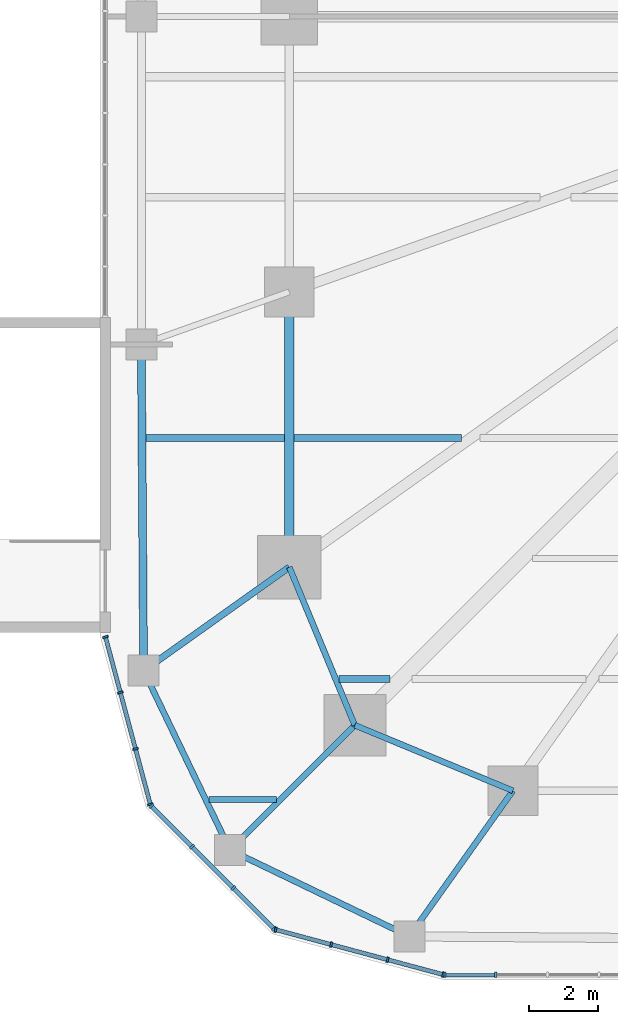
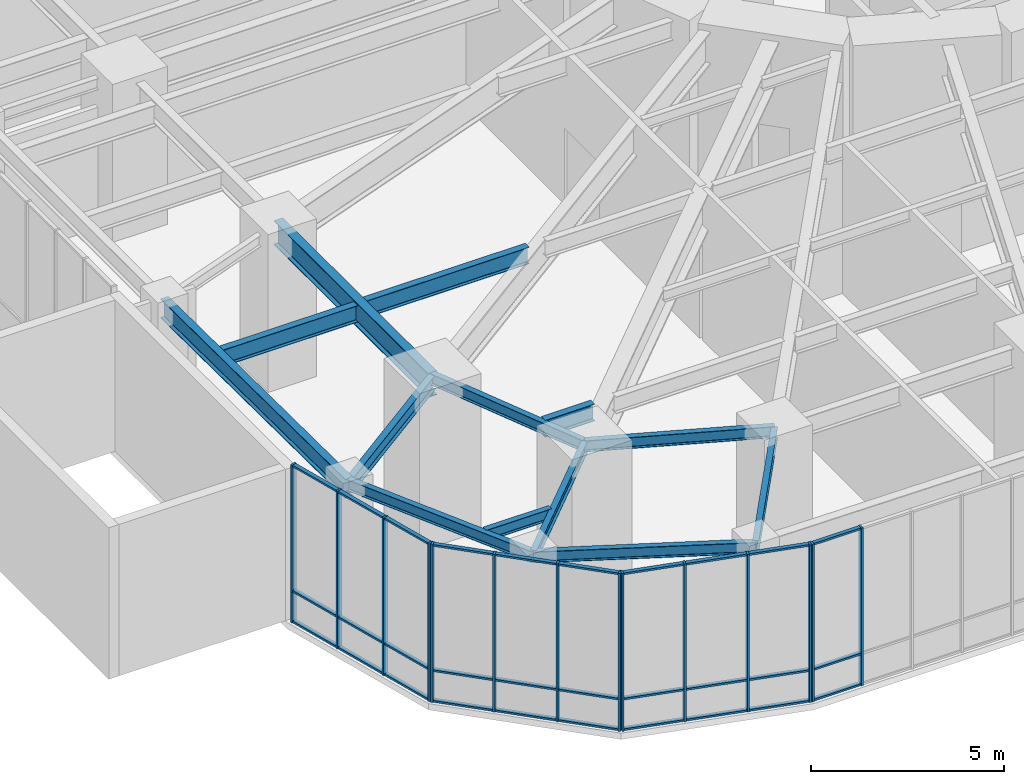
# One storey, part 2 of 24: 44 members, 13 beams, 4 elements without a shape of their own.
"""IFC4 building model written with IfcOpenShell, lengths in metres."""

from ifc_helpers import new_model, si_unit, direction, frame, origin, origin_2d, place, context, subcontext, project, spatial, rectangle, i_section, extrude, material, material_profile, profile_set, type_object, element, aggregate, save


model = new_model("IFC4")

# Units and contexts
model_context = context("Model", 3, precision=1e-05, world=origin(), true_north=direction((0.0, 1.0)))
body_context = subcontext(model_context, "Body", "Model", "MODEL_VIEW")
ifc_project = project(units=[si_unit("LENGTHUNIT", "METRE"), si_unit("AREAUNIT", "SQUARE_METRE"), si_unit("VOLUMEUNIT", "CUBIC_METRE"), si_unit("PLANEANGLEUNIT", "RADIAN"), si_unit("MASSUNIT", "GRAM", prefix="KILO")], contexts=[model_context])

# Site, building, storey
site_placement = place(None, origin())
site = spatial("IfcSite", under=ifc_project, at=site_placement, CompositionType="ELEMENT")
building_placement = place(site_placement, origin())
building = spatial("IfcBuilding", under=site, at=building_placement, Name="Nakasero Lantern House", CompositionType="ELEMENT")
storey_placement = place(building_placement, frame((0.0, 0.0, 11.0)))
storey = spatial("IfcBuildingStorey", under=building, at=storey_placement, Name="L02", CompositionType="ELEMENT", Elevation=11.0)

# Beams
ifc_material_1 = material(Name="Steel S355", Category="steel")
ifc_material_profile_1 = material_profile(ifc_material_1, i_section(OverallWidth=0.17138671875, OverallDepth=0.35498046875, WebThickness=0.00732421875, FlangeThickness=0.011474609375, FilletRadius=0.01025390625, at=origin_2d()), Name="UB 356x171x51")
ifc_profile_set_1 = profile_set([ifc_material_profile_1], Name="Steel S355")
beam_type_1 = type_object("IfcBeamType", Name="Infill beam UB 356x171x51", PredefinedType="JOIST", material=ifc_profile_set_1)
beam_1_placement = place(storey_placement, frame((-24.8369140625, -22.75, 4.572509765625), z_axis=(1.0, 0.0, 0.0), x_axis=(0.0, 1.0, 0.0)))
element("IfcBeam", 1, at=beam_1_placement, inside=storey, type_object=beam_type_1, Name="Infill beam L03 02.1", PredefinedType="JOIST", context=body_context, shape_type="SweptSolid", body=[
    extrude(i_section(OverallWidth=0.17138671875, OverallDepth=0.35498046875, WebThickness=0.00732421875, FlangeThickness=0.011474609375, FilletRadius=0.01025390625, at=origin_2d()), origin(), (0.0, 0.0, 1.0), 1.965576171875),
])
ifc_material_2 = material(Name="Steel S355", Category="steel")
ifc_material_profile_2 = material_profile(ifc_material_2, i_section(OverallWidth=0.2099609375, OverallDepth=0.53662109375, WebThickness=0.0107421875, FlangeThickness=0.017333984375, FilletRadius=0.0126953125, at=origin_2d()), Name="UB 533x210x101")
ifc_profile_set_2 = profile_set([ifc_material_profile_2], Name="Steel S355")
beam_type_2 = type_object("IfcBeamType", Name="Infill beam UB 533x210x101", PredefinedType="JOIST", material=ifc_profile_set_2)
beam_2_placement = place(storey_placement, frame((-21.06103515625, -19.25, 4.53173828125), z_axis=(1.0, 0.0, 0.0), x_axis=(0.0, 1.0, 0.0)))
element("IfcBeam", 2, at=beam_2_placement, inside=storey, type_object=beam_type_2, Name="Infill beam L03 03.1", PredefinedType="JOIST", context=body_context, shape_type="SweptSolid", body=[
    extrude(i_section(OverallWidth=0.2099609375, OverallDepth=0.53662109375, WebThickness=0.0107421875, FlangeThickness=0.017333984375, FilletRadius=0.0126953125, at=origin_2d()), origin(), (0.0, 0.0, 1.0), 1.492919921875),
])
ifc_material_3 = material(Name="Steel S355", Category="steel")
ifc_material_profile_3 = material_profile(ifc_material_3, i_section(OverallWidth=0.208740234375, OverallDepth=0.5283203125, WebThickness=0.009521484375, FlangeThickness=0.01318359375, FilletRadius=0.0126953125, at=origin_2d()), Name="UB 533x210x82")
ifc_profile_set_3 = profile_set([ifc_material_profile_3], Name="Steel S355")
beam_type_3 = type_object("IfcBeamType", Name="Infill beam UB 533x210x82", PredefinedType="JOIST", material=ifc_profile_set_3)
beam_3_placement = place(storey_placement, frame((-26.66650390625, -12.25, 4.48583984375), z_axis=(1.0, 0.0, 0.0), x_axis=(0.0, 1.0, 0.0)))
element("IfcBeam", 3, at=beam_3_placement, inside=storey, type_object=beam_type_3, Name="Infill beam L03 05.1", PredefinedType="JOIST", context=body_context, shape_type="SweptSolid", body=[
    extrude(i_section(OverallWidth=0.208740234375, OverallDepth=0.5283203125, WebThickness=0.009521484375, FlangeThickness=0.01318359375, FilletRadius=0.0126953125, at=origin_2d()), origin(), (0.0, 0.0, 1.0), 4.033203125),
])
beam_4_placement = place(storey_placement, frame((-22.36669921875, -12.25, 4.535888671875), z_axis=(1.0, 0.0, 0.0), x_axis=(0.0, 1.0, 0.0)))
element("IfcBeam", 4, at=beam_4_placement, inside=storey, type_object=beam_type_3, Name="Infill beam L03 05.2", PredefinedType="JOIST", context=body_context, shape_type="SweptSolid", body=[
    extrude(i_section(OverallWidth=0.208740234375, OverallDepth=0.5283203125, WebThickness=0.009521484375, FlangeThickness=0.01318359375, FilletRadius=0.0126953125, at=origin_2d()), origin(), (0.0, 0.0, 1.0), 4.8740234375),
])

# Curtain wall, members
ifc_material_4 = material(Name="Aluminium 6063-T6 and glass", Category="aluminium")
curtain_wall_type = type_object("IfcCurtainWallType", Name="Podium curtain wall CW-2", PredefinedType="USERDEFINED", material=ifc_material_4)
curtain_wall_1_placement = place(storey_placement, origin())
curtain_wall_1 = element("IfcCurtainWall", 5, at=curtain_wall_1_placement, inside=storey, type_object=curtain_wall_type, Name="Curtain wall CW-2 L02", ObjectType="STICK CURTAIN WALL", PredefinedType="USERDEFINED")
ifc_material_5 = material(Name="Aluminium 6063-T6", Category="aluminium")
ifc_material_profile_4 = material_profile(ifc_material_5, rectangle(XDim=0.06005859375, YDim=0.159912109375, at=origin_2d()), Name="CW-2 mullion 60x160")
ifc_profile_set_4 = profile_set([ifc_material_profile_4], Name="Aluminium 6063-T6")
member_type_1 = type_object("IfcMemberType", Name="Mullion CW-2", PredefinedType="MULLION", material=ifc_profile_set_4)
member_1_placement = place(storey_placement, frame((-27.84228515625, -18.029052734375, 0.0), z_axis=(0.0, 0.0, 1.0), x_axis=(0.258819045103, -0.965925826289, 0.0)))
member_1 = element("IfcMember", 6, at=member_1_placement, type_object=member_type_1, Name="CW-2 mullion 1", PredefinedType="MULLION", context=body_context, shape_type="SweptSolid", body=[
    extrude(rectangle(XDim=0.06005859375, YDim=0.159912109375, at=origin_2d()), origin(), (0.0, 0.0, 1.0), 5.0),
])
member_2_placement = place(storey_placement, frame((-27.41015625, -19.6416015625, 0.0), z_axis=(0.0, 0.0, 1.0), x_axis=(0.258819045103, -0.965925826289, 0.0)))
member_2 = element("IfcMember", 7, at=member_2_placement, type_object=member_type_1, Name="CW-2 mullion 2", PredefinedType="MULLION", context=body_context, shape_type="SweptSolid", body=[
    extrude(rectangle(XDim=0.06005859375, YDim=0.159912109375, at=origin_2d()), origin(), (0.0, 0.0, 1.0), 5.0),
])
member_3_placement = place(storey_placement, frame((-26.97021484375, -21.283447265625, 0.0), z_axis=(0.0, 0.0, 1.0), x_axis=(0.258819045103, -0.965925826289, 0.0)))
member_3 = element("IfcMember", 8, at=member_3_placement, type_object=member_type_1, Name="CW-2 mullion 3", PredefinedType="MULLION", context=body_context, shape_type="SweptSolid", body=[
    extrude(rectangle(XDim=0.06005859375, YDim=0.159912109375, at=origin_2d()), origin(), (0.0, 0.0, 1.0), 5.0),
])
member_4_placement = place(storey_placement, frame((-26.5380859375, -22.89599609375, 0.0), z_axis=(0.0, 0.0, 1.0), x_axis=(0.258819045103, -0.965925826289, 0.0)))
member_4 = element("IfcMember", 9, at=member_4_placement, type_object=member_type_1, Name="CW-2 mullion 4", PredefinedType="MULLION", context=body_context, shape_type="SweptSolid", body=[
    extrude(rectangle(XDim=0.06005859375, YDim=0.159912109375, at=origin_2d()), origin(), (0.0, 0.0, 1.0), 5.0),
])

curtain_wall_2_placement = place(storey_placement, origin())
curtain_wall_2 = element("IfcCurtainWall", 10, at=curtain_wall_2_placement, inside=storey, type_object=curtain_wall_type, Name="Curtain wall CW-2 L02", ObjectType="STICK CURTAIN WALL", PredefinedType="USERDEFINED")
member_5_placement = place(storey_placement, frame((-26.509033203125, -22.9462890625, 0.0), z_axis=(0.0, 0.0, 1.0), x_axis=(0.707106781187, -0.707106781187, 0.0)))
member_5 = element("IfcMember", 11, at=member_5_placement, type_object=member_type_1, Name="CW-2 mullion 1", PredefinedType="MULLION", context=body_context, shape_type="SweptSolid", body=[
    extrude(rectangle(XDim=0.06005859375, YDim=0.159912109375, at=origin_2d()), origin(), (0.0, 0.0, 1.0), 5.0),
])
member_6_placement = place(storey_placement, frame((-25.32861328125, -24.126708984375, 0.0), z_axis=(0.0, 0.0, 1.0), x_axis=(0.707106781187, -0.707106781187, 0.0)))
member_6 = element("IfcMember", 12, at=member_6_placement, type_object=member_type_1, Name="CW-2 mullion 2", PredefinedType="MULLION", context=body_context, shape_type="SweptSolid", body=[
    extrude(rectangle(XDim=0.06005859375, YDim=0.159912109375, at=origin_2d()), origin(), (0.0, 0.0, 1.0), 5.0),
])
member_7_placement = place(storey_placement, frame((-24.126708984375, -25.32861328125, 0.0), z_axis=(0.0, 0.0, 1.0), x_axis=(0.707106781187, -0.707106781187, 0.0)))
member_7 = element("IfcMember", 13, at=member_7_placement, type_object=member_type_1, Name="CW-2 mullion 3", PredefinedType="MULLION", context=body_context, shape_type="SweptSolid", body=[
    extrude(rectangle(XDim=0.06005859375, YDim=0.159912109375, at=origin_2d()), origin(), (0.0, 0.0, 1.0), 5.0),
])
member_8_placement = place(storey_placement, frame((-22.9462890625, -26.509033203125, 0.0), z_axis=(0.0, 0.0, 1.0), x_axis=(0.707106781187, -0.707106781187, 0.0)))
member_8 = element("IfcMember", 14, at=member_8_placement, type_object=member_type_1, Name="CW-2 mullion 4", PredefinedType="MULLION", context=body_context, shape_type="SweptSolid", body=[
    extrude(rectangle(XDim=0.06005859375, YDim=0.159912109375, at=origin_2d()), origin(), (0.0, 0.0, 1.0), 5.0),
])

curtain_wall_3_placement = place(storey_placement, origin())
curtain_wall_3 = element("IfcCurtainWall", 15, at=curtain_wall_3_placement, inside=storey, type_object=curtain_wall_type, Name="Curtain wall CW-2 L02", ObjectType="STICK CURTAIN WALL", PredefinedType="USERDEFINED")
member_9_placement = place(storey_placement, frame((-22.89599609375, -26.5380859375, 0.0), z_axis=(0.0, 0.0, 1.0), x_axis=(0.965925826289, -0.258819045103, 0.0)))
member_9 = element("IfcMember", 16, at=member_9_placement, type_object=member_type_1, Name="CW-2 mullion 1", PredefinedType="MULLION", context=body_context, shape_type="SweptSolid", body=[
    extrude(rectangle(XDim=0.06005859375, YDim=0.159912109375, at=origin_2d()), origin(), (0.0, 0.0, 1.0), 5.0),
])
member_10_placement = place(storey_placement, frame((-21.283447265625, -26.97021484375, 0.0), z_axis=(0.0, 0.0, 1.0), x_axis=(0.965925826289, -0.258819045103, 0.0)))
member_10 = element("IfcMember", 17, at=member_10_placement, type_object=member_type_1, Name="CW-2 mullion 2", PredefinedType="MULLION", context=body_context, shape_type="SweptSolid", body=[
    extrude(rectangle(XDim=0.06005859375, YDim=0.159912109375, at=origin_2d()), origin(), (0.0, 0.0, 1.0), 5.0),
])
member_11_placement = place(storey_placement, frame((-19.6416015625, -27.41015625, 0.0), z_axis=(0.0, 0.0, 1.0), x_axis=(0.965925826289, -0.258819045103, 0.0)))
member_11 = element("IfcMember", 18, at=member_11_placement, type_object=member_type_1, Name="CW-2 mullion 3", PredefinedType="MULLION", context=body_context, shape_type="SweptSolid", body=[
    extrude(rectangle(XDim=0.06005859375, YDim=0.159912109375, at=origin_2d()), origin(), (0.0, 0.0, 1.0), 5.0),
])
member_12_placement = place(storey_placement, frame((-18.029052734375, -27.84228515625, 0.0), z_axis=(0.0, 0.0, 1.0), x_axis=(0.965925826289, -0.258819045103, 0.0)))
member_12 = element("IfcMember", 19, at=member_12_placement, type_object=member_type_1, Name="CW-2 mullion 4", PredefinedType="MULLION", context=body_context, shape_type="SweptSolid", body=[
    extrude(rectangle(XDim=0.06005859375, YDim=0.159912109375, at=origin_2d()), origin(), (0.0, 0.0, 1.0), 5.0),
])

curtain_wall_4_placement = place(storey_placement, origin())
curtain_wall_4 = element("IfcCurtainWall", 20, at=curtain_wall_4_placement, inside=storey, type_object=curtain_wall_type, Name="Curtain wall CW-2 L02", ObjectType="STICK CURTAIN WALL", PredefinedType="USERDEFINED")
member_13_placement = place(storey_placement, frame((-17.969970703125, -27.85009765625, 0.0), z_axis=(0.0, 0.0, 1.0), x_axis=(1.0, 0.0, 0.0)))
member_13 = element("IfcMember", 21, at=member_13_placement, type_object=member_type_1, Name="CW-2 mullion 1", PredefinedType="MULLION", context=body_context, shape_type="SweptSolid", body=[
    extrude(rectangle(XDim=0.06005859375, YDim=0.159912109375, at=origin_2d()), origin(), (0.0, 0.0, 1.0), 5.0),
])
member_14_placement = place(storey_placement, frame((-16.5, -27.85009765625, 0.0), z_axis=(0.0, 0.0, 1.0), x_axis=(1.0, 0.0, 0.0)))
member_14 = element("IfcMember", 22, at=member_14_placement, type_object=member_type_1, Name="CW-2 mullion 2", PredefinedType="MULLION", context=body_context, shape_type="SweptSolid", body=[
    extrude(rectangle(XDim=0.06005859375, YDim=0.159912109375, at=origin_2d()), origin(), (0.0, 0.0, 1.0), 5.0),
])

# Beams
ifc_material_6 = material(Name="Steel S355", Category="steel")
ifc_material_profile_5 = material_profile(ifc_material_6, i_section(OverallWidth=0.17138671875, OverallDepth=0.35498046875, WebThickness=0.00732421875, FlangeThickness=0.011474609375, FilletRadius=0.01025390625, at=origin_2d()), Name="UB 356x171x51")
ifc_profile_set_5 = profile_set([ifc_material_profile_5], Name="Steel S355")
beam_type_4 = type_object("IfcBeamType", Name="Primary beam UB 356x171x51, span to 6 m", PredefinedType="BEAM", material=ifc_profile_set_5)
beam_5_placement = place(storey_placement, frame((-24.22265625, -24.22265625, 4.572509765625), z_axis=(0.707106781187, 0.707106781187, 0.0), x_axis=(-0.707106781187, 0.707106781187, 0.0)))
element("IfcBeam", 23, at=beam_5_placement, inside=storey, type_object=beam_type_4, Name="Primary beam L03 POD-C18", PredefinedType="BEAM", context=body_context, shape_type="SweptSolid", body=[
    extrude(i_section(OverallWidth=0.17138671875, OverallDepth=0.35498046875, WebThickness=0.00732421875, FlangeThickness=0.011474609375, FilletRadius=0.01025390625, at=origin_2d()), origin(), (0.0, 0.0, 1.0), 5.128662109375),
])
beam_6_placement = place(storey_placement, frame((-19.0107421875, -26.733642578125, 4.572509765625), z_axis=(0.57954320692, 0.814941514044, 0.0), x_axis=(-0.814941514044, 0.57954320692, 0.0)))
element("IfcBeam", 24, at=beam_6_placement, inside=storey, type_object=beam_type_4, Name="Primary beam L03 POD-C19", PredefinedType="BEAM", context=body_context, shape_type="SweptSolid", body=[
    extrude(i_section(OverallWidth=0.17138671875, OverallDepth=0.35498046875, WebThickness=0.00732421875, FlangeThickness=0.011474609375, FilletRadius=0.01025390625, at=origin_2d()), origin(), (0.0, 0.0, 1.0), 5.195068359375),
])
ifc_material_7 = material(Name="Steel S355", Category="steel")
ifc_material_profile_6 = material_profile(ifc_material_7, i_section(OverallWidth=0.18994140625, OverallDepth=0.453369140625, WebThickness=0.008544921875, FlangeThickness=0.0126953125, FilletRadius=0.01025390625, at=origin_2d()), Name="UB 457x191x67")
ifc_profile_set_6 = profile_set([ifc_material_profile_6], Name="Steel S355")
beam_type_5 = type_object("IfcBeamType", Name="Primary beam UB 457x191x67, span to 6 m", PredefinedType="BEAM", material=ifc_profile_set_6)
beam_7_placement = place(storey_placement, frame((-26.733642578125, -19.0107421875, 4.523193359375), z_axis=(0.814941514044, 0.57954320692, 0.0), x_axis=(-0.57954320692, 0.814941514044, 0.0)))
element("IfcBeam", 25, at=beam_7_placement, inside=storey, type_object=beam_type_5, Name="Primary beam L03 POD-C17", PredefinedType="BEAM", context=body_context, shape_type="SweptSolid", body=[
    extrude(i_section(OverallWidth=0.18994140625, OverallDepth=0.453369140625, WebThickness=0.008544921875, FlangeThickness=0.0126953125, FilletRadius=0.01025390625, at=origin_2d()), origin(), (0.0, 0.0, 1.0), 5.195068359375),
])
ifc_material_8 = material(Name="Steel S355", Category="steel")
ifc_material_profile_7 = material_profile(ifc_material_8, i_section(OverallWidth=0.17138671875, OverallDepth=0.35498046875, WebThickness=0.00732421875, FlangeThickness=0.011474609375, FilletRadius=0.01025390625, at=origin_2d()), Name="UB 356x171x51")
ifc_profile_set_7 = profile_set([ifc_material_profile_7], Name="Steel S355")
beam_type_6 = type_object("IfcBeamType", Name="Ring beam UB 356x171x51", PredefinedType="BEAM", material=ifc_profile_set_7)
for number, where, z_axis, x_axis, name in (
    (26, (-22.5, -16.0, 4.62255859375), (0.382684080569, -0.923879264016, 0.0), (0.923879264016, 0.382684080569, 0.0), "Ring beam L03 B1-C17"),
    (27, (-20.59619140625, -20.59619140625, 4.62255859375), (0.923879264016, -0.382684080569, 0.0), (0.382684080569, 0.923879264016, 0.0), "Ring beam L03 B1-C18"),
):
    element("IfcBeam", number, at=place(storey_placement, frame(where, z_axis=z_axis, x_axis=x_axis)), inside=storey, type_object=beam_type_6, Name=name, PredefinedType="BEAM", context=body_context, shape_type="SweptSolid", body=[
        extrude(i_section(OverallWidth=0.17138671875, OverallDepth=0.35498046875, WebThickness=0.00732421875, FlangeThickness=0.011474609375, FilletRadius=0.01025390625, at=origin_2d()), origin(), (0.0, 0.0, 1.0), 4.974853515625),
    ])
for number, where, z_axis, x_axis, name in (
    (28, (-26.733642578125, -19.0107421875, 4.572509765625), (0.434032577134, -0.900897176145, 0.0), (0.900897176145, 0.434032577134, 0.0), "Ring beam L03 POD-C17"),
    (29, (-24.22265625, -24.22265625, 4.572509765625), (0.900897176145, -0.434032577134, 0.0), (0.434032577134, 0.900897176145, 0.0), "Ring beam L03 POD-C18"),
):
    element("IfcBeam", number, at=place(storey_placement, frame(where, z_axis=z_axis, x_axis=x_axis)), inside=storey, type_object=beam_type_6, Name=name, PredefinedType="BEAM", context=body_context, shape_type="SweptSolid", body=[
        extrude(i_section(OverallWidth=0.17138671875, OverallDepth=0.35498046875, WebThickness=0.00732421875, FlangeThickness=0.011474609375, FilletRadius=0.01025390625, at=origin_2d()), origin(), (0.0, 0.0, 1.0), 5.78515625),
    ])
ifc_material_9 = material(Name="Steel S355", Category="steel")
ifc_material_profile_8 = material_profile(ifc_material_9, i_section(OverallWidth=0.22900390625, OverallDepth=0.6123046875, WebThickness=0.011962890625, FlangeThickness=0.01953125, FilletRadius=0.0126953125, at=origin_2d()), Name="UB 610x229x125")
ifc_profile_set_8 = profile_set([ifc_material_profile_8], Name="Steel S355")
beam_type_7 = type_object("IfcBeamType", Name="Ring beam UB 610x229x125", PredefinedType="BEAM", material=ifc_profile_set_8)
beam_8_placement = place(storey_placement, frame((-26.800048828125, -9.52880859375, 4.44384765625), z_axis=(0.007003278482, -0.999975476745, 0.0), x_axis=(0.999975476745, 0.007003278482, 0.0)))
element("IfcBeam", 30, at=beam_8_placement, inside=storey, type_object=beam_type_7, Name="Ring beam L03 POD-C16", PredefinedType="BEAM", context=body_context, shape_type="SweptSolid", body=[
    extrude(i_section(OverallWidth=0.22900390625, OverallDepth=0.6123046875, WebThickness=0.011962890625, FlangeThickness=0.01953125, FilletRadius=0.0126953125, at=origin_2d()), origin(), (0.0, 0.0, 1.0), 9.482177734375),
])
ifc_material_10 = material(Name="Steel S355", Category="steel")
ifc_material_profile_9 = material_profile(ifc_material_10, i_section(OverallWidth=0.2666015625, OverallDepth=0.76220703125, WebThickness=0.014404296875, FlangeThickness=0.021484375, FilletRadius=0.0166015625, at=origin_2d()), Name="UB 762x267x173")
ifc_profile_set_9 = profile_set([ifc_material_profile_9], Name="Steel S355")
beam_type_8 = type_object("IfcBeamType", Name="Ring beam UB 762x267x173", PredefinedType="BEAM", material=ifc_profile_set_9)
beam_9_placement = place(storey_placement, frame((-22.5, -8.0, 4.4189453125), z_axis=(0.0, -1.0, 0.0), x_axis=(1.0, 0.0, 0.0)))
element("IfcBeam", 31, at=beam_9_placement, inside=storey, type_object=beam_type_8, Name="Ring beam L03 B1-C16", PredefinedType="BEAM", context=body_context, shape_type="SweptSolid", body=[
    extrude(i_section(OverallWidth=0.2666015625, OverallDepth=0.76220703125, WebThickness=0.014404296875, FlangeThickness=0.021484375, FilletRadius=0.0166015625, at=origin_2d()), origin(), (0.0, 0.0, 1.0), 8.0),
])

# Member
ifc_material_11 = material(Name="Aluminium 6063-T6", Category="aluminium")
ifc_material_profile_10 = material_profile(ifc_material_11, rectangle(XDim=0.06005859375, YDim=0.1201171875, at=origin_2d()), Name="CW-2 transom 60x120")
ifc_profile_set_10 = profile_set([ifc_material_profile_10], Name="Aluminium 6063-T6")
member_type_2 = type_object("IfcMemberType", Name="Transom CW-2", PredefinedType="USERDEFINED", material=ifc_profile_set_10)
member_15_placement = place(storey_placement, frame((-27.83447265625, -18.057861328125, 0.030029296875), z_axis=(0.258738612203, -0.96594737463, 0.0), x_axis=(0.0, 0.0, 1.0)))
member_15 = element("IfcMember", 32, at=member_15_placement, type_object=member_type_2, Name="CW-2 transom 1.1", ObjectType="TRANSOM", PredefinedType="USERDEFINED", context=body_context, shape_type="SweptSolid", body=[
    extrude(rectangle(XDim=0.06005859375, YDim=0.1201171875, at=origin_2d()), origin(), (0.0, 0.0, 1.0), 1.60986328125),
])

member_16_placement = place(storey_placement, frame((-27.83447265625, -18.057861328125, 1.0), z_axis=(0.258738612203, -0.96594737463, 0.0), x_axis=(0.0, 0.0, 1.0)))
member_16 = element("IfcMember", 33, at=member_16_placement, type_object=member_type_2, Name="CW-2 transom 1.2", ObjectType="TRANSOM", PredefinedType="USERDEFINED", context=body_context, shape_type="SweptSolid", body=[
    extrude(rectangle(XDim=0.06005859375, YDim=0.1201171875, at=origin_2d()), origin(), (0.0, 0.0, 1.0), 1.60986328125),
])

member_17_placement = place(storey_placement, frame((-27.83447265625, -18.057861328125, 4.969970703125), z_axis=(0.258738612203, -0.96594737463, 0.0), x_axis=(0.0, 0.0, 1.0)))
member_17 = element("IfcMember", 34, at=member_17_placement, type_object=member_type_2, Name="CW-2 transom 1.3", ObjectType="TRANSOM", PredefinedType="USERDEFINED", context=body_context, shape_type="SweptSolid", body=[
    extrude(rectangle(XDim=0.06005859375, YDim=0.1201171875, at=origin_2d()), origin(), (0.0, 0.0, 1.0), 1.60986328125),
])

member_18_placement = place(storey_placement, frame((-27.40234375, -19.670654296875, 0.030029296875), z_axis=(0.258793147214, -0.965932765235, 0.0), x_axis=(0.0, 0.0, 1.0)))
member_18 = element("IfcMember", 35, at=member_18_placement, type_object=member_type_2, Name="CW-2 transom 2.1", ObjectType="TRANSOM", PredefinedType="USERDEFINED", context=body_context, shape_type="SweptSolid", body=[
    extrude(rectangle(XDim=0.06005859375, YDim=0.1201171875, at=origin_2d()), origin(), (0.0, 0.0, 1.0), 1.6396484375),
])

member_19_placement = place(storey_placement, frame((-27.40234375, -19.670654296875, 1.0), z_axis=(0.258793147214, -0.965932765235, 0.0), x_axis=(0.0, 0.0, 1.0)))
member_19 = element("IfcMember", 36, at=member_19_placement, type_object=member_type_2, Name="CW-2 transom 2.2", ObjectType="TRANSOM", PredefinedType="USERDEFINED", context=body_context, shape_type="SweptSolid", body=[
    extrude(rectangle(XDim=0.06005859375, YDim=0.1201171875, at=origin_2d()), origin(), (0.0, 0.0, 1.0), 1.6396484375),
])

member_20_placement = place(storey_placement, frame((-27.40234375, -19.670654296875, 4.969970703125), z_axis=(0.258793147214, -0.965932765235, 0.0), x_axis=(0.0, 0.0, 1.0)))
member_20 = element("IfcMember", 37, at=member_20_placement, type_object=member_type_2, Name="CW-2 transom 2.3", ObjectType="TRANSOM", PredefinedType="USERDEFINED", context=body_context, shape_type="SweptSolid", body=[
    extrude(rectangle(XDim=0.06005859375, YDim=0.1201171875, at=origin_2d()), origin(), (0.0, 0.0, 1.0), 1.6396484375),
])

member_21_placement = place(storey_placement, frame((-26.96240234375, -21.312255859375, 0.030029296875), z_axis=(0.258776522595, -0.965937219158, 0.0), x_axis=(0.0, 0.0, 1.0)))
member_21 = element("IfcMember", 38, at=member_21_placement, type_object=member_type_2, Name="CW-2 transom 3.1", ObjectType="TRANSOM", PredefinedType="USERDEFINED", context=body_context, shape_type="SweptSolid", body=[
    extrude(rectangle(XDim=0.06005859375, YDim=0.1201171875, at=origin_2d()), origin(), (0.0, 0.0, 1.0), 1.609619140625),
])

member_22_placement = place(storey_placement, frame((-26.96240234375, -21.312255859375, 1.0), z_axis=(0.258776522595, -0.965937219158, 0.0), x_axis=(0.0, 0.0, 1.0)))
member_22 = element("IfcMember", 39, at=member_22_placement, type_object=member_type_2, Name="CW-2 transom 3.2", ObjectType="TRANSOM", PredefinedType="USERDEFINED", context=body_context, shape_type="SweptSolid", body=[
    extrude(rectangle(XDim=0.06005859375, YDim=0.1201171875, at=origin_2d()), origin(), (0.0, 0.0, 1.0), 1.609619140625),
])

member_23_placement = place(storey_placement, frame((-26.96240234375, -21.312255859375, 4.969970703125), z_axis=(0.258776522595, -0.965937219158, 0.0), x_axis=(0.0, 0.0, 1.0)))
member_23 = element("IfcMember", 40, at=member_23_placement, type_object=member_type_2, Name="CW-2 transom 3.3", ObjectType="TRANSOM", PredefinedType="USERDEFINED", context=body_context, shape_type="SweptSolid", body=[
    extrude(rectangle(XDim=0.06005859375, YDim=0.1201171875, at=origin_2d()), origin(), (0.0, 0.0, 1.0), 1.609619140625),
])

aggregate(curtain_wall_1, [member_1, member_2, member_3, member_4, member_15, member_16, member_17, member_18, member_19, member_20, member_21, member_22, member_23])

member_24_placement = place(storey_placement, frame((-26.488037109375, -22.967529296875, 0.030029296875), z_axis=(0.707182622531, -0.707030931707, 0.0), x_axis=(0.0, 0.0, 1.0)))
member_24 = element("IfcMember", 41, at=member_24_placement, type_object=member_type_2, Name="CW-2 transom 1.1", ObjectType="TRANSOM", PredefinedType="USERDEFINED", context=body_context, shape_type="SweptSolid", body=[
    extrude(rectangle(XDim=0.06005859375, YDim=0.1201171875, at=origin_2d()), origin(), (0.0, 0.0, 1.0), 1.609375),
])

member_25_placement = place(storey_placement, frame((-26.488037109375, -22.967529296875, 1.0), z_axis=(0.707182622531, -0.707030931707, 0.0), x_axis=(0.0, 0.0, 1.0)))
member_25 = element("IfcMember", 42, at=member_25_placement, type_object=member_type_2, Name="CW-2 transom 1.2", ObjectType="TRANSOM", PredefinedType="USERDEFINED", context=body_context, shape_type="SweptSolid", body=[
    extrude(rectangle(XDim=0.06005859375, YDim=0.1201171875, at=origin_2d()), origin(), (0.0, 0.0, 1.0), 1.609375),
])

member_26_placement = place(storey_placement, frame((-26.488037109375, -22.967529296875, 4.969970703125), z_axis=(0.707182622531, -0.707030931707, 0.0), x_axis=(0.0, 0.0, 1.0)))
member_26 = element("IfcMember", 43, at=member_26_placement, type_object=member_type_2, Name="CW-2 transom 1.3", ObjectType="TRANSOM", PredefinedType="USERDEFINED", context=body_context, shape_type="SweptSolid", body=[
    extrude(rectangle(XDim=0.06005859375, YDim=0.1201171875, at=origin_2d()), origin(), (0.0, 0.0, 1.0), 1.609375),
])

member_27_placement = place(storey_placement, frame((-25.307373046875, -24.14794921875, 0.030029296875), z_axis=(0.707106781187, -0.707106781187, 0.0), x_axis=(0.0, 0.0, 1.0)))
member_27 = element("IfcMember", 44, at=member_27_placement, type_object=member_type_2, Name="CW-2 transom 2.1", ObjectType="TRANSOM", PredefinedType="USERDEFINED", context=body_context, shape_type="SweptSolid", body=[
    extrude(rectangle(XDim=0.06005859375, YDim=0.1201171875, at=origin_2d()), origin(), (0.0, 0.0, 1.0), 1.6396484375),
])

member_28_placement = place(storey_placement, frame((-25.307373046875, -24.14794921875, 1.0), z_axis=(0.707106781187, -0.707106781187, 0.0), x_axis=(0.0, 0.0, 1.0)))
member_28 = element("IfcMember", 45, at=member_28_placement, type_object=member_type_2, Name="CW-2 transom 2.2", ObjectType="TRANSOM", PredefinedType="USERDEFINED", context=body_context, shape_type="SweptSolid", body=[
    extrude(rectangle(XDim=0.06005859375, YDim=0.1201171875, at=origin_2d()), origin(), (0.0, 0.0, 1.0), 1.6396484375),
])

member_29_placement = place(storey_placement, frame((-25.307373046875, -24.14794921875, 4.969970703125), z_axis=(0.707106781187, -0.707106781187, 0.0), x_axis=(0.0, 0.0, 1.0)))
member_29 = element("IfcMember", 46, at=member_29_placement, type_object=member_type_2, Name="CW-2 transom 2.3", ObjectType="TRANSOM", PredefinedType="USERDEFINED", context=body_context, shape_type="SweptSolid", body=[
    extrude(rectangle(XDim=0.06005859375, YDim=0.1201171875, at=origin_2d()), origin(), (0.0, 0.0, 1.0), 1.6396484375),
])

member_30_placement = place(storey_placement, frame((-24.10546875, -25.349853515625, 0.030029296875), z_axis=(0.707030931707, -0.707182622531, 0.0), x_axis=(0.0, 0.0, 1.0)))
member_30 = element("IfcMember", 47, at=member_30_placement, type_object=member_type_2, Name="CW-2 transom 3.1", ObjectType="TRANSOM", PredefinedType="USERDEFINED", context=body_context, shape_type="SweptSolid", body=[
    extrude(rectangle(XDim=0.06005859375, YDim=0.1201171875, at=origin_2d()), origin(), (0.0, 0.0, 1.0), 1.609375),
])

member_31_placement = place(storey_placement, frame((-24.10546875, -25.349853515625, 1.0), z_axis=(0.707030931707, -0.707182622531, 0.0), x_axis=(0.0, 0.0, 1.0)))
member_31 = element("IfcMember", 48, at=member_31_placement, type_object=member_type_2, Name="CW-2 transom 3.2", ObjectType="TRANSOM", PredefinedType="USERDEFINED", context=body_context, shape_type="SweptSolid", body=[
    extrude(rectangle(XDim=0.06005859375, YDim=0.1201171875, at=origin_2d()), origin(), (0.0, 0.0, 1.0), 1.609375),
])

member_32_placement = place(storey_placement, frame((-24.10546875, -25.349853515625, 4.969970703125), z_axis=(0.707030931707, -0.707182622531, 0.0), x_axis=(0.0, 0.0, 1.0)))
member_32 = element("IfcMember", 49, at=member_32_placement, type_object=member_type_2, Name="CW-2 transom 3.3", ObjectType="TRANSOM", PredefinedType="USERDEFINED", context=body_context, shape_type="SweptSolid", body=[
    extrude(rectangle(XDim=0.06005859375, YDim=0.1201171875, at=origin_2d()), origin(), (0.0, 0.0, 1.0), 1.609375),
])

aggregate(curtain_wall_2, [member_5, member_6, member_7, member_8, member_24, member_25, member_26, member_27, member_28, member_29, member_30, member_31, member_32])

member_33_placement = place(storey_placement, frame((-22.866943359375, -26.5458984375, 0.030029296875), z_axis=(0.965937219158, -0.258776522595, 0.0), x_axis=(0.0, 0.0, 1.0)))
member_33 = element("IfcMember", 50, at=member_33_placement, type_object=member_type_2, Name="CW-2 transom 1.1", ObjectType="TRANSOM", PredefinedType="USERDEFINED", context=body_context, shape_type="SweptSolid", body=[
    extrude(rectangle(XDim=0.06005859375, YDim=0.1201171875, at=origin_2d()), origin(), (0.0, 0.0, 1.0), 1.609619140625),
])

member_34_placement = place(storey_placement, frame((-22.866943359375, -26.5458984375, 1.0), z_axis=(0.965937219158, -0.258776522595, 0.0), x_axis=(0.0, 0.0, 1.0)))
member_34 = element("IfcMember", 51, at=member_34_placement, type_object=member_type_2, Name="CW-2 transom 1.2", ObjectType="TRANSOM", PredefinedType="USERDEFINED", context=body_context, shape_type="SweptSolid", body=[
    extrude(rectangle(XDim=0.06005859375, YDim=0.1201171875, at=origin_2d()), origin(), (0.0, 0.0, 1.0), 1.609619140625),
])

member_35_placement = place(storey_placement, frame((-22.866943359375, -26.5458984375, 4.969970703125), z_axis=(0.965937219158, -0.258776522595, 0.0), x_axis=(0.0, 0.0, 1.0)))
member_35 = element("IfcMember", 52, at=member_35_placement, type_object=member_type_2, Name="CW-2 transom 1.3", ObjectType="TRANSOM", PredefinedType="USERDEFINED", context=body_context, shape_type="SweptSolid", body=[
    extrude(rectangle(XDim=0.06005859375, YDim=0.1201171875, at=origin_2d()), origin(), (0.0, 0.0, 1.0), 1.609619140625),
])

member_36_placement = place(storey_placement, frame((-21.25439453125, -26.97802734375, 0.030029296875), z_axis=(0.965932765235, -0.258793147214, 0.0), x_axis=(0.0, 0.0, 1.0)))
member_36 = element("IfcMember", 53, at=member_36_placement, type_object=member_type_2, Name="CW-2 transom 2.1", ObjectType="TRANSOM", PredefinedType="USERDEFINED", context=body_context, shape_type="SweptSolid", body=[
    extrude(rectangle(XDim=0.06005859375, YDim=0.1201171875, at=origin_2d()), origin(), (0.0, 0.0, 1.0), 1.6396484375),
])

member_37_placement = place(storey_placement, frame((-21.25439453125, -26.97802734375, 1.0), z_axis=(0.965932765235, -0.258793147214, 0.0), x_axis=(0.0, 0.0, 1.0)))
member_37 = element("IfcMember", 54, at=member_37_placement, type_object=member_type_2, Name="CW-2 transom 2.2", ObjectType="TRANSOM", PredefinedType="USERDEFINED", context=body_context, shape_type="SweptSolid", body=[
    extrude(rectangle(XDim=0.06005859375, YDim=0.1201171875, at=origin_2d()), origin(), (0.0, 0.0, 1.0), 1.6396484375),
])

member_38_placement = place(storey_placement, frame((-21.25439453125, -26.97802734375, 4.969970703125), z_axis=(0.965932765235, -0.258793147214, 0.0), x_axis=(0.0, 0.0, 1.0)))
member_38 = element("IfcMember", 55, at=member_38_placement, type_object=member_type_2, Name="CW-2 transom 2.3", ObjectType="TRANSOM", PredefinedType="USERDEFINED", context=body_context, shape_type="SweptSolid", body=[
    extrude(rectangle(XDim=0.06005859375, YDim=0.1201171875, at=origin_2d()), origin(), (0.0, 0.0, 1.0), 1.6396484375),
])

member_39_placement = place(storey_placement, frame((-19.61279296875, -27.41796875, 0.030029296875), z_axis=(0.96594737463, -0.258738612203, 0.0), x_axis=(0.0, 0.0, 1.0)))
member_39 = element("IfcMember", 56, at=member_39_placement, type_object=member_type_2, Name="CW-2 transom 3.1", ObjectType="TRANSOM", PredefinedType="USERDEFINED", context=body_context, shape_type="SweptSolid", body=[
    extrude(rectangle(XDim=0.06005859375, YDim=0.1201171875, at=origin_2d()), origin(), (0.0, 0.0, 1.0), 1.60986328125),
])

member_40_placement = place(storey_placement, frame((-19.61279296875, -27.41796875, 1.0), z_axis=(0.96594737463, -0.258738612203, 0.0), x_axis=(0.0, 0.0, 1.0)))
member_40 = element("IfcMember", 57, at=member_40_placement, type_object=member_type_2, Name="CW-2 transom 3.2", ObjectType="TRANSOM", PredefinedType="USERDEFINED", context=body_context, shape_type="SweptSolid", body=[
    extrude(rectangle(XDim=0.06005859375, YDim=0.1201171875, at=origin_2d()), origin(), (0.0, 0.0, 1.0), 1.60986328125),
])

member_41_placement = place(storey_placement, frame((-19.61279296875, -27.41796875, 4.969970703125), z_axis=(0.96594737463, -0.258738612203, 0.0), x_axis=(0.0, 0.0, 1.0)))
member_41 = element("IfcMember", 58, at=member_41_placement, type_object=member_type_2, Name="CW-2 transom 3.3", ObjectType="TRANSOM", PredefinedType="USERDEFINED", context=body_context, shape_type="SweptSolid", body=[
    extrude(rectangle(XDim=0.06005859375, YDim=0.1201171875, at=origin_2d()), origin(), (0.0, 0.0, 1.0), 1.60986328125),
])

aggregate(curtain_wall_3, [member_9, member_10, member_11, member_12, member_33, member_34, member_35, member_36, member_37, member_38, member_39, member_40, member_41])

member_42_placement = place(storey_placement, frame((-17.93994140625, -27.85009765625, 0.030029296875), z_axis=(1.0, 0.0, 0.0), x_axis=(0.0, 0.0, 1.0)))
member_42 = element("IfcMember", 59, at=member_42_placement, type_object=member_type_2, Name="CW-2 transom 1.1", ObjectType="TRANSOM", PredefinedType="USERDEFINED", context=body_context, shape_type="SweptSolid", body=[
    extrude(rectangle(XDim=0.06005859375, YDim=0.1201171875, at=origin_2d()), origin(), (0.0, 0.0, 1.0), 1.409912109375),
])

member_43_placement = place(storey_placement, frame((-17.93994140625, -27.85009765625, 1.0), z_axis=(1.0, 0.0, 0.0), x_axis=(0.0, 0.0, 1.0)))
member_43 = element("IfcMember", 60, at=member_43_placement, type_object=member_type_2, Name="CW-2 transom 1.2", ObjectType="TRANSOM", PredefinedType="USERDEFINED", context=body_context, shape_type="SweptSolid", body=[
    extrude(rectangle(XDim=0.06005859375, YDim=0.1201171875, at=origin_2d()), origin(), (0.0, 0.0, 1.0), 1.409912109375),
])

member_44_placement = place(storey_placement, frame((-17.93994140625, -27.85009765625, 4.969970703125), z_axis=(1.0, 0.0, 0.0), x_axis=(0.0, 0.0, 1.0)))
member_44 = element("IfcMember", 61, at=member_44_placement, type_object=member_type_2, Name="CW-2 transom 1.3", ObjectType="TRANSOM", PredefinedType="USERDEFINED", context=body_context, shape_type="SweptSolid", body=[
    extrude(rectangle(XDim=0.06005859375, YDim=0.1201171875, at=origin_2d()), origin(), (0.0, 0.0, 1.0), 1.409912109375),
])

aggregate(curtain_wall_4, [member_13, member_14, member_42, member_43, member_44])

save(model, "model.ifc")
